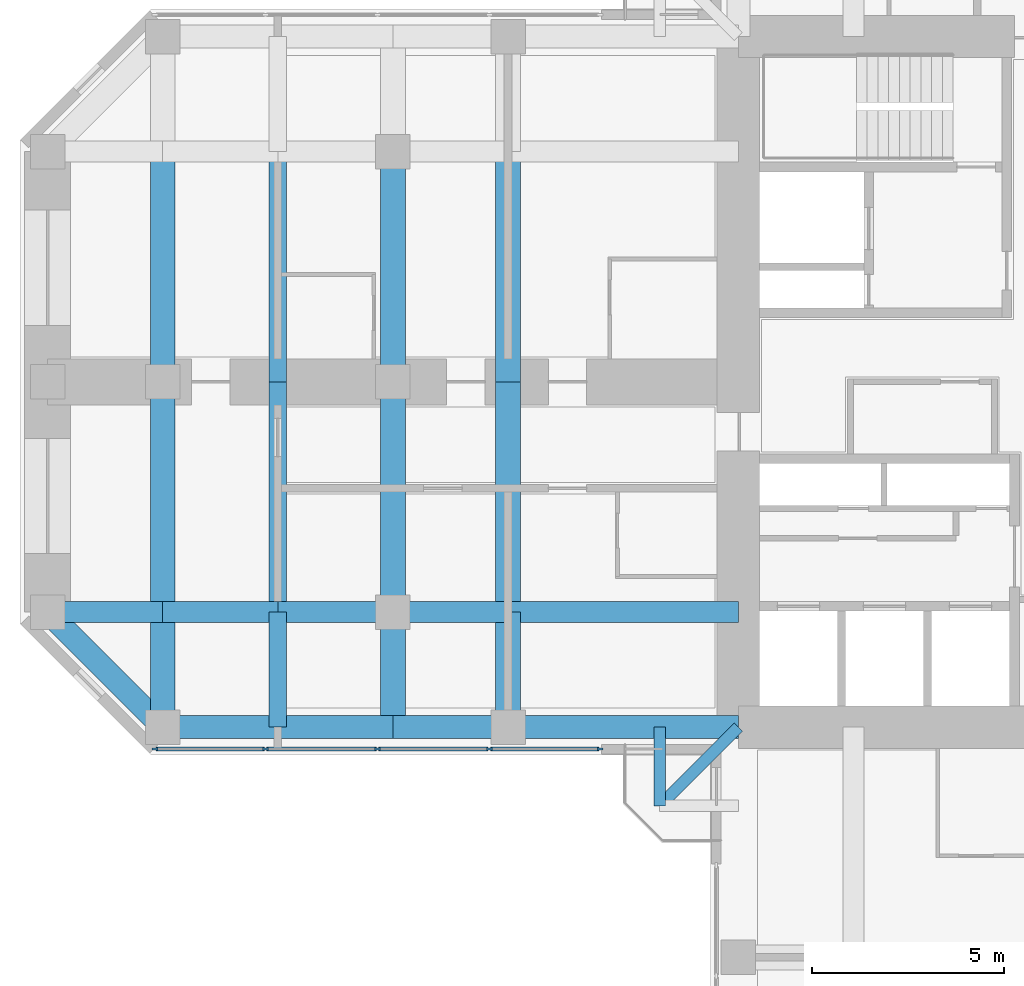
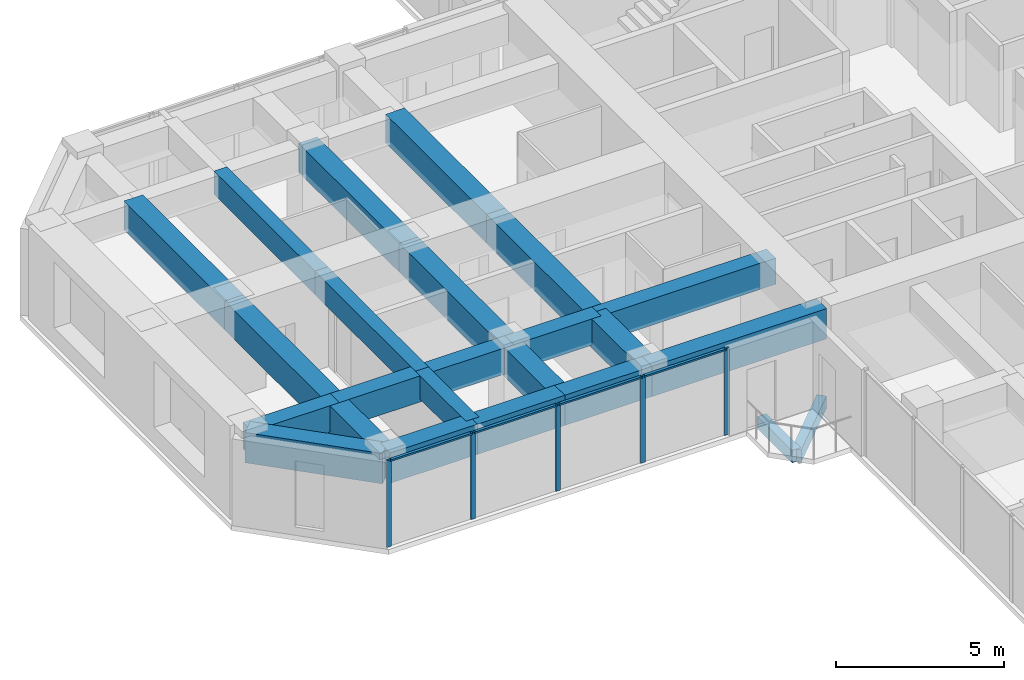
# One storey, part 3 of 14: 24 beams, 9 members, 1 element without a shape of its own.
"""IFC4 building model written with IfcOpenShell, lengths in metres."""

from ifc_helpers import new_model, si_unit, direction, frame, origin, origin_2d, place, context, subcontext, project, spatial, rectangle, extrude, material, material_profile, profile_set, type_object, element, aggregate, save


model = new_model("IFC4")

# Units and contexts
model_context = context("Model", 3, precision=1e-05, world=origin(), true_north=direction((0.0, 1.0)))
body_context = subcontext(model_context, "Body", "Model", "MODEL_VIEW")
ifc_project = project(units=[si_unit("LENGTHUNIT", "METRE"), si_unit("AREAUNIT", "SQUARE_METRE"), si_unit("VOLUMEUNIT", "CUBIC_METRE"), si_unit("PLANEANGLEUNIT", "RADIAN"), si_unit("MASSUNIT", "GRAM", prefix="KILO")], contexts=[model_context])

# Site, building, storey
site_placement = place(None, origin())
site = spatial("IfcSite", under=ifc_project, at=site_placement, CompositionType="ELEMENT")
building_placement = place(site_placement, origin())
building = spatial("IfcBuilding", under=site, at=building_placement, Name="Torre Cruceta", CompositionType="ELEMENT")
storey_placement = place(building_placement, frame((0.0, 0.0, 213.699951171875)))
storey = spatial("IfcBuildingStorey", under=building, at=storey_placement, Name="L54", CompositionType="ELEMENT", Elevation=213.699951171875)

# Beams
ifc_material_1 = material(Name="Concrete G60 (fck 60 MPa)", Category="concrete")
ifc_material_profile_1 = material_profile(ifc_material_1, rectangle(XDim=0.300048828125, YDim=0.449951171875, at=origin_2d()), Name="RC 300X450")
ifc_profile_set_1 = profile_set([ifc_material_profile_1], Name="Concrete G60 (fck 60 MPa)")
beam_type_1 = type_object("IfcBeamType", Name="BALCONY CANTILEVER BEAM RC 300X450", PredefinedType="BEAM", material=ifc_profile_set_1)
beam_1_placement = place(storey_placement, frame((-9.0, -9.0, -0.405029296875), z_axis=(-0.707106781187, -0.707106781187, 0.0), x_axis=(0.707106781187, -0.707106781187, 0.0)))
element("IfcBeam", 1, at=beam_1_placement, inside=storey, type_object=beam_type_1, Name="BB1 balcony beam L54 W", PredefinedType="BEAM", context=body_context, shape_type="SweptSolid", body=[
    extrude(rectangle(XDim=0.300048828125, YDim=0.449951171875, at=origin_2d()), origin(), (0.0, 0.0, 1.0), 2.89990234375),
])
beam_2_placement = place(storey_placement, frame((-11.050537109375, -9.0, -0.405029296875), z_axis=(0.0, -1.0, 0.0), x_axis=(1.0, 0.0, 0.0)))
element("IfcBeam", 2, at=beam_2_placement, inside=storey, type_object=beam_type_1, Name="BB1 balcony edge beam L54 W-X", PredefinedType="BEAM", context=body_context, shape_type="SweptSolid", body=[
    extrude(rectangle(XDim=0.300048828125, YDim=0.449951171875, at=origin_2d()), origin(), (0.0, 0.0, 1.0), 2.050537109375),
])
ifc_material_2 = material(Name="Concrete G60 (fck 60 MPa)", Category="concrete")
ifc_material_profile_2 = material_profile(ifc_material_2, rectangle(XDim=0.550048828125, YDim=0.949951171875, at=origin_2d()), Name="RC 550X950")
ifc_profile_set_2 = profile_set([ifc_material_profile_2], Name="Concrete G60 (fck 60 MPa)")
beam_type_2 = type_object("IfcBeamType", Name="COLUMN LINE BEAM RC 550X950", PredefinedType="BEAM", material=ifc_profile_set_2)
beam_3_placement = place(storey_placement, frame((-9.0, -6.0, 2.675048828125), z_axis=(-1.0, 0.0, 0.0), x_axis=(0.0, -1.0, 0.0)))
element("IfcBeam", 3, at=beam_3_placement, inside=storey, type_object=beam_type_2, Name="LB3 L54 W col+ 1", PredefinedType="BEAM", context=body_context, shape_type="SweptSolid", body=[
    extrude(rectangle(XDim=0.550048828125, YDim=0.949951171875, at=origin_2d()), origin(), (0.0, 0.0, 1.0), 6.0),
])
for number, where, z_axis, x_axis, name in (
    (4, (-15.0, -6.0, 2.675048828125), (-1.0, 0.0, 0.0), (0.0, -1.0, 0.0), "LB3 L54 W col+ 2"),
    (5, (-18.0, -6.0, 2.675048828125), (-1.0, 0.0, 0.0), (0.0, -1.0, 0.0), "LB3 L54 W col+ 3"),
    (6, (-21.0, -6.0, 2.675048828125), (-1.0, 0.0, 0.0), (0.0, -1.0, 0.0), "LB3 L54 W col+ 4"),
    (7, (-24.0, -6.0, 2.675048828125), (-1.0, 0.0, 0.0), (0.0, -1.0, 0.0), "LB3 L54 W col+ 5"),
):
    element("IfcBeam", number, at=place(storey_placement, frame(where, z_axis=z_axis, x_axis=x_axis)), inside=storey, type_object=beam_type_2, Name=name, PredefinedType="BEAM", context=body_context, shape_type="SweptSolid", body=[
        extrude(rectangle(XDim=0.550048828125, YDim=0.949951171875, at=origin_2d()), origin(), (0.0, 0.0, 1.0), 3.0),
    ])
ifc_material_3 = material(Name="Concrete G60 (fck 60 MPa)", Category="concrete")
ifc_material_profile_3 = material_profile(ifc_material_3, rectangle(XDim=0.64990234375, YDim=1.050048828125, at=origin_2d()), Name="RC 650X1050")
ifc_profile_set_3 = profile_set([ifc_material_profile_3], Name="Concrete G60 (fck 60 MPa)")
beam_type_3 = type_object("IfcBeamType", Name="CROSS BEAM RC 650X1050", PredefinedType="BEAM", material=ifc_profile_set_3)
for number, where, z_axis, x_axis, name in (
    (8, (-15.0, 6.0, 2.625), (0.0, -1.0, 0.0), (1.0, 0.0, 0.0), "GB3 L54 W cross15 2"),
    (9, (-15.0, 0.0, 2.625), (0.0, -1.0, 0.0), (1.0, 0.0, 0.0), "GB3 L54 W cross15 3"),
):
    element("IfcBeam", number, at=place(storey_placement, frame(where, z_axis=z_axis, x_axis=x_axis)), inside=storey, type_object=beam_type_3, Name=name, PredefinedType="BEAM", context=body_context, shape_type="SweptSolid", body=[
        extrude(rectangle(XDim=0.64990234375, YDim=1.050048828125, at=origin_2d()), origin(), (0.0, 0.0, 1.0), 6.0),
    ])
beam_4_placement = place(storey_placement, frame((-15.0, -6.0, 2.625), z_axis=(0.0, -1.0, 0.0), x_axis=(1.0, 0.0, 0.0)))
element("IfcBeam", 10, at=beam_4_placement, inside=storey, type_object=beam_type_3, Name="GB3 L54 W cross15 4", PredefinedType="BEAM", context=body_context, shape_type="SweptSolid", body=[
    extrude(rectangle(XDim=0.64990234375, YDim=1.050048828125, at=origin_2d()), origin(), (0.0, 0.0, 1.0), 3.0),
])
for number, where, z_axis, x_axis, name in (
    (11, (-18.0, 6.0, 2.625), (0.0, -1.0, 0.0), (1.0, 0.0, 0.0), "GB3 L54 W cross18 2"),
    (12, (-18.0, 0.0, 2.625), (0.0, -1.0, 0.0), (1.0, 0.0, 0.0), "GB3 L54 W cross18 3"),
):
    element("IfcBeam", number, at=place(storey_placement, frame(where, z_axis=z_axis, x_axis=x_axis)), inside=storey, type_object=beam_type_3, Name=name, PredefinedType="BEAM", context=body_context, shape_type="SweptSolid", body=[
        extrude(rectangle(XDim=0.64990234375, YDim=1.050048828125, at=origin_2d()), origin(), (0.0, 0.0, 1.0), 6.0),
    ])
beam_5_placement = place(storey_placement, frame((-18.0, -6.0, 2.625), z_axis=(0.0, -1.0, 0.0), x_axis=(1.0, 0.0, 0.0)))
element("IfcBeam", 13, at=beam_5_placement, inside=storey, type_object=beam_type_3, Name="GB3 L54 W cross18 4", PredefinedType="BEAM", context=body_context, shape_type="SweptSolid", body=[
    extrude(rectangle(XDim=0.64990234375, YDim=1.050048828125, at=origin_2d()), origin(), (0.0, 0.0, 1.0), 3.0),
])
for number, where, z_axis, x_axis, name in (
    (14, (-24.0, 6.0, 2.625), (0.0, -1.0, 0.0), (1.0, 0.0, 0.0), "GB3 L54 W cross24 2"),
    (15, (-24.0, 0.0, 2.625), (0.0, -1.0, 0.0), (1.0, 0.0, 0.0), "GB3 L54 W cross24 3"),
):
    element("IfcBeam", number, at=place(storey_placement, frame(where, z_axis=z_axis, x_axis=x_axis)), inside=storey, type_object=beam_type_3, Name=name, PredefinedType="BEAM", context=body_context, shape_type="SweptSolid", body=[
        extrude(rectangle(XDim=0.64990234375, YDim=1.050048828125, at=origin_2d()), origin(), (0.0, 0.0, 1.0), 6.0),
    ])
beam_6_placement = place(storey_placement, frame((-24.0, -6.0, 2.625), z_axis=(0.0, -1.0, 0.0), x_axis=(1.0, 0.0, 0.0)))
element("IfcBeam", 16, at=beam_6_placement, inside=storey, type_object=beam_type_3, Name="GB3 L54 W cross24 4", PredefinedType="BEAM", context=body_context, shape_type="SweptSolid", body=[
    extrude(rectangle(XDim=0.64990234375, YDim=1.050048828125, at=origin_2d()), origin(), (0.0, 0.0, 1.0), 3.0),
])

# Curtain wall, members
ifc_material_4 = material(Name="Aluminium unitised curtain wall", Category="aluminium")
curtain_wall_type = type_object("IfcCurtainWallType", Name="CURTAIN WALL CW-C CO-LIVING", PredefinedType="USERDEFINED", material=ifc_material_4)
curtain_wall_placement = place(storey_placement, origin())
curtain_wall = element("IfcCurtainWall", 17, at=curtain_wall_placement, inside=storey, type_object=curtain_wall_type, Name="CW-C L54 W side 14", ObjectType="UNITISED", PredefinedType="USERDEFINED")
ifc_material_5 = material(Name="Aluminium mullion", Category="aluminium")
ifc_material_profile_4 = material_profile(ifc_material_5, rectangle(XDim=0.06005859375, YDim=0.159912109375, at=origin_2d()), Name="AL 60X160")
ifc_profile_set_4 = profile_set([ifc_material_profile_4], Name="Aluminium mullion")
member_type_1 = type_object("IfcMemberType", Name="CW-C MULLION 60X160", PredefinedType="MULLION", material=ifc_profile_set_4)
member_1_placement = place(storey_placement, frame((-24.2060546875, -9.570068359375, 0.0), z_axis=(0.0, 0.0, 1.0), x_axis=(0.0, 1.0, 0.0)))
member_1 = element("IfcMember", 18, at=member_1_placement, type_object=member_type_1, Name="CW-C mullion 1", PredefinedType="MULLION", context=body_context, shape_type="SweptSolid", body=[
    extrude(rectangle(XDim=0.06005859375, YDim=0.159912109375, at=origin_2d()), origin(), (0.0, 0.0, 1.0), 3.150146484375),
])
member_2_placement = place(storey_placement, frame((-21.319580078125, -9.570068359375, 0.0), z_axis=(0.0, 0.0, 1.0), x_axis=(0.0, 1.0, 0.0)))
member_2 = element("IfcMember", 19, at=member_2_placement, type_object=member_type_1, Name="CW-C mullion 2", PredefinedType="MULLION", context=body_context, shape_type="SweptSolid", body=[
    extrude(rectangle(XDim=0.06005859375, YDim=0.159912109375, at=origin_2d()), origin(), (0.0, 0.0, 1.0), 3.150146484375),
])
member_3_placement = place(storey_placement, frame((-18.403076171875, -9.570068359375, 0.0), z_axis=(0.0, 0.0, 1.0), x_axis=(0.0, 1.0, 0.0)))
member_3 = element("IfcMember", 20, at=member_3_placement, type_object=member_type_1, Name="CW-C mullion 3", PredefinedType="MULLION", context=body_context, shape_type="SweptSolid", body=[
    extrude(rectangle(XDim=0.06005859375, YDim=0.159912109375, at=origin_2d()), origin(), (0.0, 0.0, 1.0), 3.150146484375),
])
member_4_placement = place(storey_placement, frame((-15.486572265625, -9.570068359375, 0.0), z_axis=(0.0, 0.0, 1.0), x_axis=(0.0, 1.0, 0.0)))
member_4 = element("IfcMember", 21, at=member_4_placement, type_object=member_type_1, Name="CW-C mullion 4", PredefinedType="MULLION", context=body_context, shape_type="SweptSolid", body=[
    extrude(rectangle(XDim=0.06005859375, YDim=0.159912109375, at=origin_2d()), origin(), (0.0, 0.0, 1.0), 3.150146484375),
])
member_5_placement = place(storey_placement, frame((-12.60009765625, -9.570068359375, 0.0), z_axis=(0.0, 0.0, 1.0), x_axis=(0.0, 1.0, 0.0)))
member_5 = element("IfcMember", 22, at=member_5_placement, type_object=member_type_1, Name="CW-C mullion 5", PredefinedType="MULLION", context=body_context, shape_type="SweptSolid", body=[
    extrude(rectangle(XDim=0.06005859375, YDim=0.159912109375, at=origin_2d()), origin(), (0.0, 0.0, 1.0), 3.150146484375),
])
ifc_material_6 = material(Name="Aluminium transom", Category="aluminium")
ifc_material_profile_5 = material_profile(ifc_material_6, rectangle(XDim=0.10009765625, YDim=0.06005859375, at=origin_2d()), Name="AL 100X60")
ifc_profile_set_5 = profile_set([ifc_material_profile_5], Name="Aluminium transom")
member_type_2 = type_object("IfcMemberType", Name="CW-C TRANSOM 60X100", PredefinedType="USERDEFINED", material=ifc_profile_set_5)
member_6_placement = place(storey_placement, frame((-24.176025390625, -9.570068359375, 3.1201171875), z_axis=(1.0, 0.0, 0.0), x_axis=(0.0, 1.0, 0.0)))
member_6 = element("IfcMember", 23, at=member_6_placement, type_object=member_type_2, Name="CW-C transom 1", ObjectType="TRANSOM", PredefinedType="USERDEFINED", context=body_context, shape_type="SweptSolid", body=[
    extrude(rectangle(XDim=0.10009765625, YDim=0.06005859375, at=origin_2d()), origin(), (0.0, 0.0, 1.0), 2.826416015625),
])
member_7_placement = place(storey_placement, frame((-21.28955078125, -9.570068359375, 3.1201171875), z_axis=(1.0, 0.0, 0.0), x_axis=(0.0, 1.0, 0.0)))
member_7 = element("IfcMember", 24, at=member_7_placement, type_object=member_type_2, Name="CW-C transom 2", ObjectType="TRANSOM", PredefinedType="USERDEFINED", context=body_context, shape_type="SweptSolid", body=[
    extrude(rectangle(XDim=0.10009765625, YDim=0.06005859375, at=origin_2d()), origin(), (0.0, 0.0, 1.0), 2.8564453125),
])
member_8_placement = place(storey_placement, frame((-18.373046875, -9.570068359375, 3.1201171875), z_axis=(1.0, 0.0, 0.0), x_axis=(0.0, 1.0, 0.0)))
member_8 = element("IfcMember", 25, at=member_8_placement, type_object=member_type_2, Name="CW-C transom 3", ObjectType="TRANSOM", PredefinedType="USERDEFINED", context=body_context, shape_type="SweptSolid", body=[
    extrude(rectangle(XDim=0.10009765625, YDim=0.06005859375, at=origin_2d()), origin(), (0.0, 0.0, 1.0), 2.8564453125),
])
member_9_placement = place(storey_placement, frame((-15.45654296875, -9.570068359375, 3.1201171875), z_axis=(1.0, 0.0, 0.0), x_axis=(0.0, 1.0, 0.0)))
member_9 = element("IfcMember", 26, at=member_9_placement, type_object=member_type_2, Name="CW-C transom 4", ObjectType="TRANSOM", PredefinedType="USERDEFINED", context=body_context, shape_type="SweptSolid", body=[
    extrude(rectangle(XDim=0.10009765625, YDim=0.06005859375, at=origin_2d()), origin(), (0.0, 0.0, 1.0), 2.82666015625),
])
aggregate(curtain_wall, [member_1, member_2, member_3, member_4, member_5, member_6, member_7, member_8, member_9])

# Beams
ifc_material_7 = material(Name="Concrete G60 (fck 60 MPa)", Category="concrete")
ifc_material_profile_6 = material_profile(ifc_material_7, rectangle(XDim=0.449951171875, YDim=0.85009765625, at=origin_2d()), Name="RC 450X850")
ifc_profile_set_6 = profile_set([ifc_material_profile_6], Name="Concrete G60 (fck 60 MPa)")
beam_type_4 = type_object("IfcBeamType", Name="SECONDARY BEAM RC 450X850", PredefinedType="JOIST", material=ifc_profile_set_6)
for number, where, z_axis, x_axis, name in (
    (27, (-21.0, 6.0, 2.72509765625), (0.0, -1.0, 0.0), (1.0, 0.0, 0.0), "JB4 L54 W sec21 2"),
    (28, (-21.0, 0.0, 2.72509765625), (0.0, -1.0, 0.0), (1.0, 0.0, 0.0), "JB4 L54 W sec21 3"),
):
    element("IfcBeam", number, at=place(storey_placement, frame(where, z_axis=z_axis, x_axis=x_axis)), inside=storey, type_object=beam_type_4, Name=name, PredefinedType="JOIST", context=body_context, shape_type="SweptSolid", body=[
        extrude(rectangle(XDim=0.449951171875, YDim=0.85009765625, at=origin_2d()), origin(), (0.0, 0.0, 1.0), 6.0),
    ])
beam_7_placement = place(storey_placement, frame((-21.0, -6.0, 2.72509765625), z_axis=(0.0, -1.0, 0.0), x_axis=(1.0, 0.0, 0.0)))
element("IfcBeam", 29, at=beam_7_placement, inside=storey, type_object=beam_type_4, Name="JB4 L54 W sec21 4", PredefinedType="JOIST", context=body_context, shape_type="SweptSolid", body=[
    extrude(rectangle(XDim=0.449951171875, YDim=0.85009765625, at=origin_2d()), origin(), (0.0, 0.0, 1.0), 3.0),
])
ifc_material_8 = material(Name="Concrete G60 (fck 60 MPa)", Category="concrete")
ifc_material_profile_7 = material_profile(ifc_material_8, rectangle(XDim=0.60009765625, YDim=1.10009765625, at=origin_2d()), Name="RC 600X1100")
ifc_profile_set_7 = profile_set([ifc_material_profile_7], Name="Concrete G60 (fck 60 MPa)")
beam_type_5 = type_object("IfcBeamType", Name="SPANDREL BEAM RC 600X1100", PredefinedType="SPANDREL", material=ifc_profile_set_7)
beam_8_placement = place(storey_placement, frame((-9.0, -9.0, 2.60009765625), z_axis=(-1.0, 0.0, 0.0), x_axis=(0.0, -1.0, 0.0)))
element("IfcBeam", 30, at=beam_8_placement, inside=storey, type_object=beam_type_5, Name="SB2 L54 W side+ 1", PredefinedType="SPANDREL", context=body_context, shape_type="SweptSolid", body=[
    extrude(rectangle(XDim=0.60009765625, YDim=1.10009765625, at=origin_2d()), origin(), (0.0, 0.0, 1.0), 6.0),
])
for number, where, z_axis, x_axis, name in (
    (31, (-15.0, -9.0, 2.60009765625), (-1.0, 0.0, 0.0), (0.0, -1.0, 0.0), "SB2 L54 W side+ 2"),
    (32, (-18.0, -9.0, 2.60009765625), (-1.0, 0.0, 0.0), (0.0, -1.0, 0.0), "SB2 L54 W side+ 3"),
    (33, (-21.0, -9.0, 2.60009765625), (-1.0, 0.0, 0.0), (0.0, -1.0, 0.0), "SB2 L54 W side+ 4"),
):
    element("IfcBeam", number, at=place(storey_placement, frame(where, z_axis=z_axis, x_axis=x_axis)), inside=storey, type_object=beam_type_5, Name=name, PredefinedType="SPANDREL", context=body_context, shape_type="SweptSolid", body=[
        extrude(rectangle(XDim=0.60009765625, YDim=1.10009765625, at=origin_2d()), origin(), (0.0, 0.0, 1.0), 3.0),
    ])
beam_9_placement = place(storey_placement, frame((-24.0, -9.0, 2.60009765625), z_axis=(-0.707106781187, 0.707106781187, 0.0), x_axis=(-0.707106781187, -0.707106781187, 0.0)))
element("IfcBeam", 34, at=beam_9_placement, inside=storey, type_object=beam_type_5, Name="SB2 L54 W side+ 5", PredefinedType="SPANDREL", context=body_context, shape_type="SweptSolid", body=[
    extrude(rectangle(XDim=0.60009765625, YDim=1.10009765625, at=origin_2d()), origin(), (0.0, 0.0, 1.0), 4.24267578125),
])

save(model, "model.ifc")
